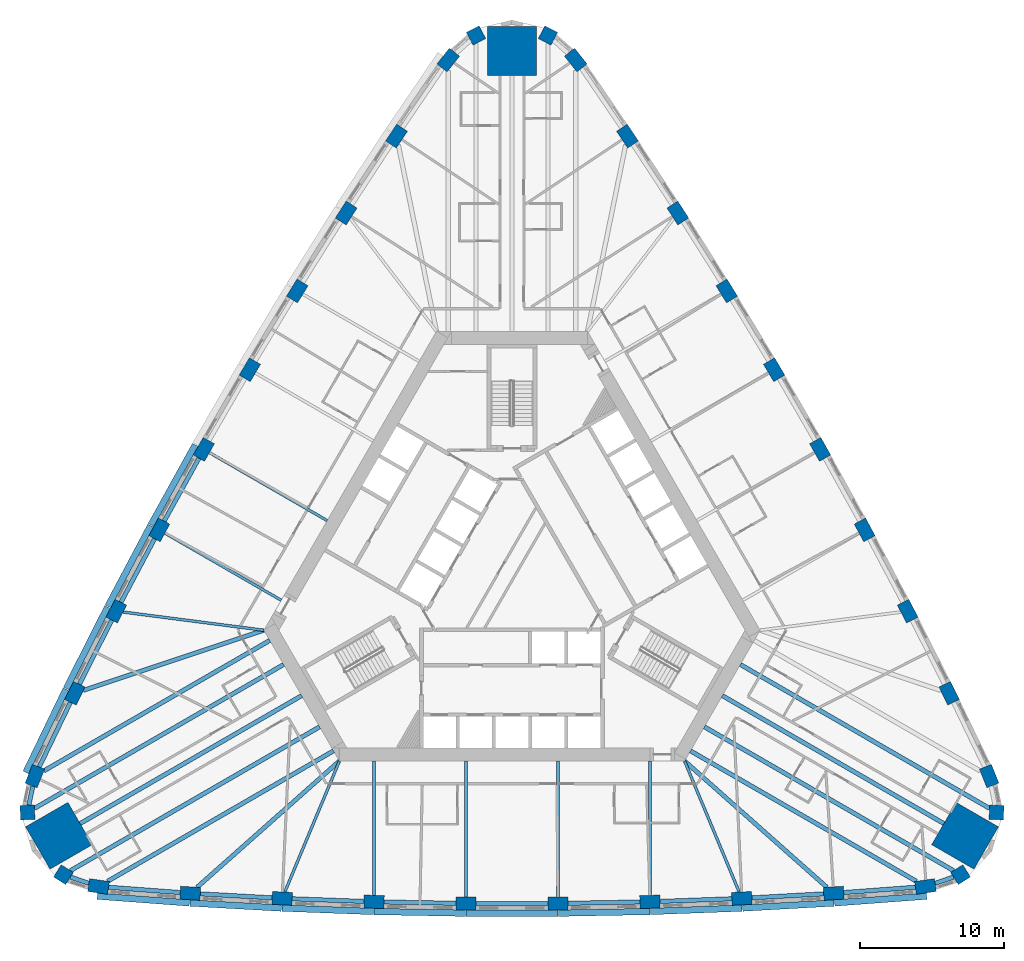
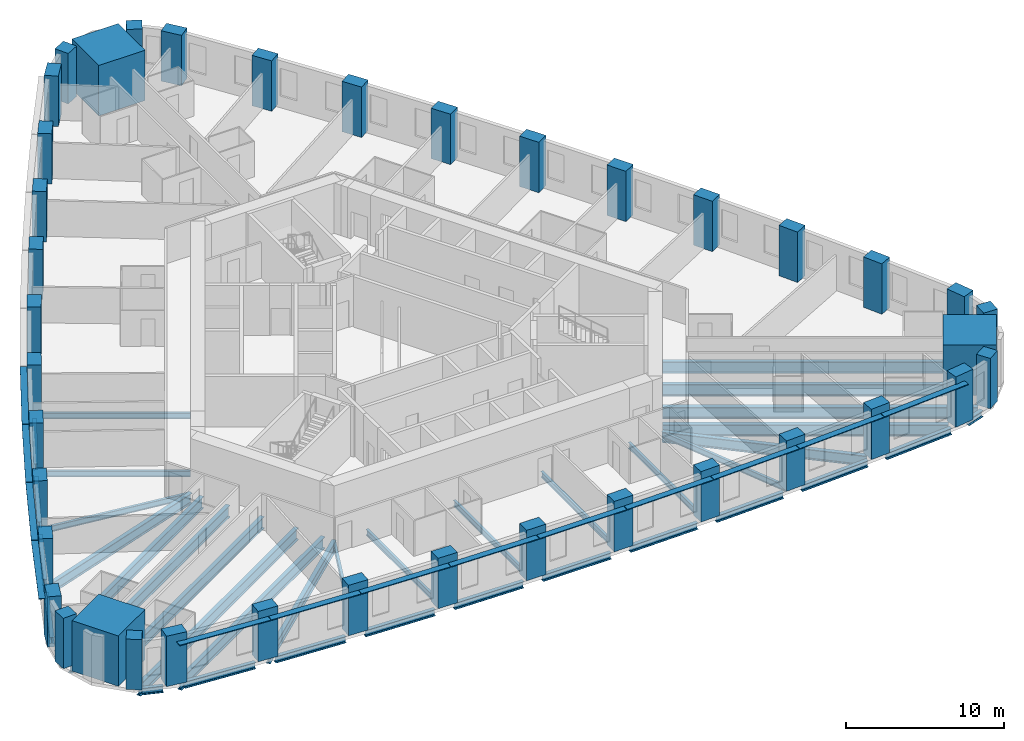
# One storey, part 1 of 12: 39 columns, 37 beams, 13 members.
"""IFC4 building model written with IfcOpenShell, lengths in metres."""

from ifc_helpers import new_model, si_unit, direction, frame, origin, origin_2d, place, context, subcontext, project, spatial, rectangle, i_section, extrude, material, material_profile, profile_set, type_object, element, save


model = new_model("IFC4")

# Units and contexts
model_context = context("Model", 3, precision=1e-05, world=origin(), true_north=direction((0.0, 1.0)))
body_context = subcontext(model_context, "Body", "Model", "MODEL_VIEW")
ifc_project = project(units=[si_unit("LENGTHUNIT", "METRE"), si_unit("AREAUNIT", "SQUARE_METRE"), si_unit("VOLUMEUNIT", "CUBIC_METRE"), si_unit("PLANEANGLEUNIT", "RADIAN"), si_unit("MASSUNIT", "GRAM", prefix="KILO")], contexts=[model_context])

# Site, building, storey
site_placement = place(None, origin())
site = spatial("IfcSite", under=ifc_project, at=site_placement, CompositionType="ELEMENT")
building_placement = place(site_placement, origin())
building = spatial("IfcBuilding", under=site, at=building_placement, Name="Mestral Congress Tower", CompositionType="ELEMENT")
storey_placement = place(building_placement, frame((0.0, 0.0, 70.5)))
storey = spatial("IfcBuildingStorey", under=building, at=storey_placement, Name="L16", CompositionType="ELEMENT", Elevation=70.5)

# Columns
ifc_material_1 = material(Name="Concrete C70/85", Category="concrete")
ifc_material_profile_1 = material_profile(ifc_material_1, rectangle(XDim=1.0, YDim=1.0, at=origin_2d()), Name="RC 1000x1000")
ifc_profile_set_1 = profile_set([ifc_material_profile_1], Name="Concrete C70/85")
column_type_1 = type_object("IfcColumnType", Name="Column RC 1000x1000 C70/85", PredefinedType="COLUMN", material=ifc_profile_set_1)
for number, where, z_axis, x_axis, name in (
    (1, (31.210205078125, -20.90966796875, 0.0), (0.0, 0.0, 1.0), (0.844485001826, 0.535579202071, 0.0), "COL-L16-C1-SE1"),
    (2, (33.71337890625, -16.573974609375, 0.0), (0.0, 0.0, 1.0), (0.041582693819, 0.999135065732, 0.0), "COL-L16-C1-SE3"),
    (3, (2.503173828125, 37.483642578125, 0.0), (0.0, 0.0, 1.0), (-0.886067695645, 0.463555863661, 0.0), "COL-L16-C1-N1"),
    (4, (-2.503173828125, 37.483642578125, 0.0), (0.0, 0.0, 1.0), (-0.886067695645, -0.463555863661, 0.0), "COL-L16-C1-N3"),
    (5, (-33.71337890625, -16.573974609375, 0.0), (0.0, 0.0, 1.0), (0.041582693819, -0.999135065732, 0.0), "COL-L16-C1-SW1"),
    (6, (-31.210205078125, -20.90966796875, 0.0), (0.0, 0.0, 1.0), (0.844485001826, -0.535579202071, 0.0), "COL-L16-C1-SW3"),
):
    element("IfcColumn", number, at=place(storey_placement, frame(where, z_axis=z_axis, x_axis=x_axis)), inside=storey, type_object=column_type_1, Name=name, PredefinedType="COLUMN", context=body_context, shape_type="SweptSolid", body=[
        extrude(rectangle(XDim=1.0, YDim=1.0, at=origin_2d()), origin(), (0.0, 0.0, 1.0), 3.89990234375),
    ])
ifc_material_profile_2 = material_profile(ifc_material_1, rectangle(XDim=1.39990234375, YDim=0.89990234375, at=origin_2d()), Name="RC 1400x900")
ifc_profile_set_2 = profile_set([ifc_material_profile_2], Name="Concrete C70/85")
column_type_2 = type_object("IfcColumnType", Name="Column RC 1400x900 C70/85", PredefinedType="COLUMN", material=ifc_profile_set_2)
for number, where, z_axis, x_axis, name in (
    (7, (-28.766845703125, -21.730712890625, 0.0), (0.0, 0.0, 1.0), (0.989423502484, -0.145055619443, 0.0), "COL-L16-C1-S00"),
    (8, (-22.384521484375, -22.20361328125, 0.0), (0.0, 0.0, 1.0), (0.997907501024, -0.064657709518, 0.0), "COL-L16-C1-S01"),
    (9, (-15.994384765625, -22.558349609375, 0.0), (0.0, 0.0, 1.0), (0.998932216029, -0.04619986774, 0.0), "COL-L16-C1-S02"),
    (10, (-9.598876953125, -22.794921875, 0.0), (0.0, 0.0, 1.0), (0.999615553977, -0.027726237529, 0.0), "COL-L16-C1-S03"),
    (11, (-3.199951171875, -22.9130859375, 0.0), (0.0, 0.0, 1.0), (0.999957281342, -0.009243132098, 0.0), "COL-L16-C1-S04"),
    (12, (3.199951171875, -22.9130859375, 0.0), (0.0, 0.0, 1.0), (0.999957281342, 0.009243132098, 0.0), "COL-L16-C1-S05"),
    (13, (9.598876953125, -22.794921875, 0.0), (0.0, 0.0, 1.0), (0.999615553977, 0.027726237529, 0.0), "COL-L16-C1-S06"),
    (14, (15.994384765625, -22.558349609375, 0.0), (0.0, 0.0, 1.0), (0.998932216029, 0.04619986774, 0.0), "COL-L16-C1-S07"),
    (15, (22.384521484375, -22.20361328125, 0.0), (0.0, 0.0, 1.0), (0.997907501024, 0.064657709518, 0.0), "COL-L16-C1-S08"),
    (16, (28.766845703125, -21.730712890625, 0.0), (0.0, 0.0, 1.0), (0.989423502484, 0.145055619443, 0.0), "COL-L16-C1-S09"),
    (17, (33.202880859375, -14.04736328125, 0.0), (0.0, 0.0, 1.0), (-0.369089899843, 0.929393697974, 0.0), "COL-L16-C1-E00"),
    (18, (30.421142578125, -8.28369140625, 0.0), (0.0, 0.0, 1.0), (-0.442958531519, 0.896542101273, 0.0), "COL-L16-C1-E01"),
    (19, (27.533203125, -2.572265625, 0.0), (0.0, 0.0, 1.0), (-0.4594558489, 0.88820060961, 0.0), "COL-L16-C1-E02"),
    (20, (24.540283203125, 3.084716796875, 0.0), (0.0, 0.0, 1.0), (-0.475796150937, 0.879555582526, 0.0), "COL-L16-C1-E03"),
    (21, (21.443359375, 8.685302734375, 0.0), (0.0, 0.0, 1.0), (-0.491973853463, 0.870609974391, 0.0), "COL-L16-C1-E04"),
    (22, (18.243408203125, 14.227783203125, 0.0), (0.0, 0.0, 1.0), (-0.507983427879, 0.861366842292, 0.0), "COL-L16-C1-E05"),
    (23, (14.941650390625, 19.710205078125, 0.0), (0.0, 0.0, 1.0), (-0.52381940304, 0.851829344998, 0.0), "COL-L16-C1-E06"),
    (24, (11.5390625, 25.130615234375, 0.0), (0.0, 0.0, 1.0), (-0.539476367129, 0.84200074187, 0.0), "COL-L16-C1-E07"),
    (25, (8.03662109375, 30.4873046875, 0.0), (0.0, 0.0, 1.0), (-0.554948969505, 0.831884391755, 0.0), "COL-L16-C1-E08"),
    (26, (4.43603515625, 35.7783203125, 0.0), (0.0, 0.0, 1.0), (-0.620333602641, 0.784338078531, 0.0), "COL-L16-C1-E09"),
    (27, (-4.43603515625, 35.7783203125, 0.0), (0.0, 0.0, 1.0), (-0.620333602641, -0.784338078531, 0.0), "COL-L16-C1-W00"),
    (28, (-8.03662109375, 30.4873046875, 0.0), (0.0, 0.0, 1.0), (-0.554948969505, -0.831884391755, 0.0), "COL-L16-C1-W01"),
    (29, (-11.5390625, 25.130615234375, 0.0), (0.0, 0.0, 1.0), (-0.539476367129, -0.84200074187, 0.0), "COL-L16-C1-W02"),
    (30, (-14.941650390625, 19.710205078125, 0.0), (0.0, 0.0, 1.0), (-0.52381940304, -0.851829344998, 0.0), "COL-L16-C1-W03"),
    (31, (-18.243408203125, 14.227783203125, 0.0), (0.0, 0.0, 1.0), (-0.507983427879, -0.861366842292, 0.0), "COL-L16-C1-W04"),
    (32, (-21.443359375, 8.685302734375, 0.0), (0.0, 0.0, 1.0), (-0.491973853463, -0.870609974391, 0.0), "COL-L16-C1-W05"),
    (33, (-24.540283203125, 3.084716796875, 0.0), (0.0, 0.0, 1.0), (-0.475796150937, -0.879555582526, 0.0), "COL-L16-C1-W06"),
    (34, (-27.533203125, -2.572265625, 0.0), (0.0, 0.0, 1.0), (-0.4594558489, -0.88820060961, 0.0), "COL-L16-C1-W07"),
    (35, (-30.421142578125, -8.28369140625, 0.0), (0.0, 0.0, 1.0), (-0.442958531519, -0.896542101273, 0.0), "COL-L16-C1-W08"),
    (36, (-33.202880859375, -14.04736328125, 0.0), (0.0, 0.0, 1.0), (-0.369089899843, -0.929393697974, 0.0), "COL-L16-C1-W09"),
):
    element("IfcColumn", number, at=place(storey_placement, frame(where, z_axis=z_axis, x_axis=x_axis)), inside=storey, type_object=column_type_2, Name=name, PredefinedType="COLUMN", context=body_context, shape_type="SweptSolid", body=[
        extrude(rectangle(XDim=1.39990234375, YDim=0.89990234375, at=origin_2d()), origin(), (0.0, 0.0, 1.0), 3.89990234375),
    ])
ifc_material_2 = material(Name="Concrete C80/95", Category="concrete")
ifc_material_profile_3 = material_profile(ifc_material_2, rectangle(XDim=3.39990234375, YDim=3.39990234375, at=origin_2d()), Name="RC 3400x3400")
ifc_profile_set_3 = profile_set([ifc_material_profile_3], Name="Concrete C80/95")
column_type_3 = type_object("IfcColumnType", Name="Mega column RC 3400x3400 C80/95", PredefinedType="COLUMN", material=ifc_profile_set_3)
for number, where, z_axis, x_axis, name in (
    (37, (31.5224609375, -18.199462890625, 0.0), (0.0, 0.0, 1.0), (0.866025403784, -0.5, 0.0), "COL-L16-PY1-SE"),
    (38, (0.0, 36.39892578125, 0.0), (0.0, 0.0, 1.0), (0.0, 1.0, 0.0), "COL-L16-PY1-N"),
    (39, (-31.5224609375, -18.199462890625, 0.0), (0.0, 0.0, 1.0), (-0.866025403784, -0.5, 0.0), "COL-L16-PY1-SW"),
):
    element("IfcColumn", number, at=place(storey_placement, frame(where, z_axis=z_axis, x_axis=x_axis)), inside=storey, type_object=column_type_3, Name=name, PredefinedType="COLUMN", context=body_context, shape_type="SweptSolid", body=[
        extrude(rectangle(XDim=3.39990234375, YDim=3.39990234375, at=origin_2d()), origin(), (0.0, 0.0, 1.0), 3.89990234375),
    ])

# Members
ifc_material_3 = material(Name="Glazed ceramic", Category="masonry")
ifc_material_profile_4 = material_profile(ifc_material_3, rectangle(XDim=0.449951171875, YDim=0.06005859375, at=origin_2d()), Name="Ceramic blade 450 x 60")
ifc_profile_set_4 = profile_set([ifc_material_profile_4], Name="Glazed ceramic")
member_type = type_object("IfcMemberType", Name="Facade sunshade blade 450 x 60", PredefinedType="USERDEFINED", material=ifc_profile_set_4)
member_1_placement = place(storey_placement, frame((-28.853271484375, -22.4013671875, 3.280029296875), z_axis=(0.997269829073, -0.073843672858, 0.0), x_axis=(0.073843672858, 0.997269829073, 0.0)))
element("IfcMember", 40, at=member_1_placement, inside=storey, type_object=member_type, Name="Sunshade F0-00", ObjectType="SUNSHADE", PredefinedType="USERDEFINED", context=body_context, shape_type="SweptSolid", body=[
    extrude(rectangle(XDim=0.449951171875, YDim=0.06005859375, at=origin_2d()), origin(), (0.0, 0.0, 1.0), 6.420654296875),
])
member_2_placement = place(storey_placement, frame((-22.406005859375, -22.87841796875, 3.280029296875), z_axis=(0.998462240013, -0.055436046654, 0.0), x_axis=(0.055436046654, 0.998462240013, 0.0)))
element("IfcMember", 41, at=member_2_placement, inside=storey, type_object=member_type, Name="Sunshade F0-01", ObjectType="SUNSHADE", PredefinedType="USERDEFINED", context=body_context, shape_type="SweptSolid", body=[
    extrude(rectangle(XDim=0.449951171875, YDim=0.06005859375, at=origin_2d()), origin(), (0.0, 0.0, 1.0), 6.3681640625),
])
member_3_placement = place(storey_placement, frame((-16.00341796875, -23.2333984375, 3.280029296875), z_axis=(0.99931546381, -0.036994645436, 0.0), x_axis=(0.036994645436, 0.99931546381, 0.0)))
element("IfcMember", 42, at=member_3_placement, inside=storey, type_object=member_type, Name="Sunshade F0-02", ObjectType="SUNSHADE", PredefinedType="USERDEFINED", context=body_context, shape_type="SweptSolid", body=[
    extrude(rectangle(XDim=0.449951171875, YDim=0.06005859375, at=origin_2d()), origin(), (0.0, 0.0, 1.0), 6.368408203125),
])
for number, where, z_axis, x_axis, name in (
    (43, (-9.595458984375, -23.47021484375, 3.280029296875), (0.99982925906, -0.018478439527, 0.0), (0.018478439527, 0.99982925906, 0.0), "Sunshade F0-03"),
    (44, (-3.18408203125, -23.588134765625, 3.280029296875), (1.0, 0.0, 0.0), (0.0, 1.0, 0.0), "Sunshade F0-04"),
    (45, (3.228271484375, -23.587890625, 3.280029296875), (0.99982925906, 0.018478439527, 0.0), (-0.018478439527, 0.99982925906, 0.0), "Sunshade F0-05"),
):
    element("IfcMember", number, at=place(storey_placement, frame(where, z_axis=z_axis, x_axis=x_axis)), inside=storey, type_object=member_type, Name=name, ObjectType="SUNSHADE", PredefinedType="USERDEFINED", context=body_context, shape_type="SweptSolid", body=[
        extrude(rectangle(XDim=0.449951171875, YDim=0.06005859375, at=origin_2d()), origin(), (0.0, 0.0, 1.0), 6.3681640625),
    ])
member_4_placement = place(storey_placement, frame((9.639404296875, -23.468994140625, 3.280029296875), z_axis=(0.99931546381, 0.036994645436, 0.0), x_axis=(-0.036994645436, 0.99931546381, 0.0)))
element("IfcMember", 46, at=member_4_placement, inside=storey, type_object=member_type, Name="Sunshade F0-06", ObjectType="SUNSHADE", PredefinedType="USERDEFINED", context=body_context, shape_type="SweptSolid", body=[
    extrude(rectangle(XDim=0.449951171875, YDim=0.06005859375, at=origin_2d()), origin(), (0.0, 0.0, 1.0), 6.368408203125),
])
member_5_placement = place(storey_placement, frame((16.047607421875, -23.2314453125, 3.280029296875), z_axis=(0.998462240013, 0.055436046654, 0.0), x_axis=(-0.055436046654, 0.998462240013, 0.0)))
element("IfcMember", 47, at=member_5_placement, inside=storey, type_object=member_type, Name="Sunshade F0-07", ObjectType="SUNSHADE", PredefinedType="USERDEFINED", context=body_context, shape_type="SweptSolid", body=[
    extrude(rectangle(XDim=0.449951171875, YDim=0.06005859375, at=origin_2d()), origin(), (0.0, 0.0, 1.0), 6.3681640625),
])
member_6_placement = place(storey_placement, frame((22.4501953125, -22.87548828125, 3.280029296875), z_axis=(0.997269829073, 0.073843672858, 0.0), x_axis=(-0.073843672858, 0.997269829073, 0.0)))
element("IfcMember", 48, at=member_6_placement, inside=storey, type_object=member_type, Name="Sunshade F0-08", ObjectType="SUNSHADE", PredefinedType="USERDEFINED", context=body_context, shape_type="SweptSolid", body=[
    extrude(rectangle(XDim=0.449951171875, YDim=0.06005859375, at=origin_2d()), origin(), (0.0, 0.0, 1.0), 6.420654296875),
])
for number, where, z_axis, x_axis, name in (
    (49, (-22.041748046875, 8.998291015625, 3.280029296875), (-0.483893994258, -0.875126620736, 0.0), (0.875126620736, -0.483893994258, 0.0), "Sunshade F2-05"),
    (50, (-25.144287109375, 3.38623046875, 3.280029296875), (-0.467674573128, -0.883900726128, 0.0), (0.883900726128, -0.467674573128, 0.0), "Sunshade F2-06"),
    (51, (-28.142822265625, -2.28173828125, 3.280029296875), (-0.451226804026, -0.892409307061, 0.0), (0.892409307061, -0.451226804026, 0.0), "Sunshade F2-07"),
):
    element("IfcMember", number, at=place(storey_placement, frame(where, z_axis=z_axis, x_axis=x_axis)), inside=storey, type_object=member_type, Name=name, ObjectType="SUNSHADE", PredefinedType="USERDEFINED", context=body_context, shape_type="SweptSolid", body=[
        extrude(rectangle(XDim=0.449951171875, YDim=0.06005859375, at=origin_2d()), origin(), (0.0, 0.0, 1.0), 6.3681640625),
    ])
member_7_placement = place(storey_placement, frame((-31.035888671875, -8.00439453125, 3.280029296875), z_axis=(-0.434637414368, -0.900605528537, 0.0), x_axis=(0.900605528537, -0.434637414368, 0.0)))
element("IfcMember", 52, at=member_7_placement, inside=storey, type_object=member_type, Name="Sunshade F2-08", ObjectType="SUNSHADE", PredefinedType="USERDEFINED", context=body_context, shape_type="SweptSolid", body=[
    extrude(rectangle(XDim=0.449951171875, YDim=0.06005859375, at=origin_2d()), origin(), (0.0, 0.0, 1.0), 6.4208984375),
])

# Beams
ifc_material_4 = material(Name="Steel S355", Category="steel")
ifc_material_profile_5 = material_profile(ifc_material_4, i_section(OverallWidth=0.300048828125, OverallDepth=0.800048828125, WebThickness=0.017578125, FlangeThickness=0.032958984375, FilletRadius=0.030029296875, at=origin_2d()), Name="HEB 800")
ifc_profile_set_5 = profile_set([ifc_material_profile_5], Name="Steel S355")
beam_type_1 = type_object("IfcBeamType", Name="Floor beam HEB 800 S355", PredefinedType="BEAM", material=ifc_profile_set_5)
for number, where, z_axis, x_axis, name in (
    (53, (-21.91064453125, -21.783447265625, -0.64990234375), (0.748091770025, 0.663595286015, 0.0), (-0.663595286015, 0.748091770025, 0.0), "BM-L16-RB1-S01"),
    (54, (21.91064453125, -21.783447265625, -0.64990234375), (-0.748091770025, 0.663595286015, 0.0), (-0.663595286015, -0.748091770025, 0.0), "BM-L16-RB1-S08"),
    (55, (-29.8203125, -8.08349609375, -0.64990234375), (0.948734931285, 0.316072824141, 0.0), (-0.316072824141, 0.948734931285, 0.0), "BM-L16-RB1-W08"),
):
    element("IfcBeam", number, at=place(storey_placement, frame(where, z_axis=z_axis, x_axis=x_axis)), inside=storey, type_object=beam_type_1, Name=name, PredefinedType="BEAM", context=body_context, shape_type="SweptSolid", body=[
        extrude(i_section(OverallWidth=0.300048828125, OverallDepth=0.800048828125, WebThickness=0.017578125, FlangeThickness=0.032958984375, FilletRadius=0.030029296875, at=origin_2d()), origin(), (0.0, 0.0, 1.0), 13.236083984375),
    ])
ifc_material_profile_6 = material_profile(ifc_material_4, i_section(OverallWidth=0.300048828125, OverallDepth=0.89990234375, WebThickness=0.0185546875, FlangeThickness=0.034912109375, FilletRadius=0.030029296875, at=origin_2d()), Name="HEB 900")
ifc_profile_set_6 = profile_set([ifc_material_profile_6], Name="Steel S355")
beam_type_2 = type_object("IfcBeamType", Name="Floor beam HEB 900 S355", PredefinedType="BEAM", material=ifc_profile_set_6)
for number, where, z_axis, x_axis, name in (
    (56, (-28.138671875, -21.3681640625, -0.699951171875), (0.866027243369, 0.499996813733, 0.0), (-0.499996813733, 0.866027243369, 0.0), "BM-L16-RB1-S00"),
    (57, (28.138671875, -21.3681640625, -0.699951171875), (-0.866027243369, 0.499996813733, 0.0), (-0.499996813733, -0.866027243369, 0.0), "BM-L16-RB1-S09"),
):
    element("IfcBeam", number, at=place(storey_placement, frame(where, z_axis=z_axis, x_axis=x_axis)), inside=storey, type_object=beam_type_2, Name=name, PredefinedType="BEAM", context=body_context, shape_type="SweptSolid", body=[
        extrude(i_section(OverallWidth=0.300048828125, OverallDepth=0.89990234375, WebThickness=0.0185546875, FlangeThickness=0.034912109375, FilletRadius=0.030029296875, at=origin_2d()), origin(), (0.0, 0.0, 1.0), 18.15283203125),
    ])
beam_1_placement = place(storey_placement, frame((30.721435546875, -20.62744140625, -0.699951171875), z_axis=(-0.866027382289, 0.499996573113, 0.0), x_axis=(-0.499996573113, -0.866027382289, 0.0)))
element("IfcBeam", 58, at=beam_1_placement, inside=storey, type_object=beam_type_2, Name="BM-L16-RB1-SE1", PredefinedType="BEAM", context=body_context, shape_type="SweptSolid", body=[
    extrude(i_section(OverallWidth=0.300048828125, OverallDepth=0.89990234375, WebThickness=0.0185546875, FlangeThickness=0.034912109375, FilletRadius=0.030029296875, at=origin_2d()), origin(), (0.0, 0.0, 1.0), 20.019287109375),
])
beam_2_placement = place(storey_placement, frame((30.050048828125, -17.349609375, -0.699951171875), z_axis=(-0.866020438056, 0.500008600796, 0.0), x_axis=(-0.500008600796, -0.866020438056, 0.0)))
element("IfcBeam", 59, at=beam_2_placement, inside=storey, type_object=beam_type_2, Name="BM-L16-RB1-SE", PredefinedType="BEAM", context=body_context, shape_type="SweptSolid", body=[
    extrude(i_section(OverallWidth=0.300048828125, OverallDepth=0.89990234375, WebThickness=0.0185546875, FlangeThickness=0.034912109375, FilletRadius=0.030029296875, at=origin_2d()), origin(), (0.0, 0.0, 1.0), 17.799072265625),
])
beam_3_placement = place(storey_placement, frame((33.224609375, -16.291748046875, -0.699951171875), z_axis=(-0.866027382289, 0.499996573113, 0.0), x_axis=(-0.499996573113, -0.866027382289, 0.0)))
element("IfcBeam", 60, at=beam_3_placement, inside=storey, type_object=beam_type_2, Name="BM-L16-RB1-SE3", PredefinedType="BEAM", context=body_context, shape_type="SweptSolid", body=[
    extrude(i_section(OverallWidth=0.300048828125, OverallDepth=0.89990234375, WebThickness=0.0185546875, FlangeThickness=0.034912109375, FilletRadius=0.030029296875, at=origin_2d()), origin(), (0.0, 0.0, 1.0), 20.019287109375),
])
beam_4_placement = place(storey_placement, frame((-32.574462890625, -13.6845703125, -0.699951171875), z_axis=(0.866029704776, 0.49999255039, 0.0), x_axis=(-0.49999255039, 0.866029704776, 0.0)))
element("IfcBeam", 61, at=beam_4_placement, inside=storey, type_object=beam_type_2, Name="BM-L16-RB1-W09", PredefinedType="BEAM", context=body_context, shape_type="SweptSolid", body=[
    extrude(i_section(OverallWidth=0.300048828125, OverallDepth=0.89990234375, WebThickness=0.0185546875, FlangeThickness=0.034912109375, FilletRadius=0.030029296875, at=origin_2d()), origin(), (0.0, 0.0, 1.0), 18.152587890625),
])
beam_5_placement = place(storey_placement, frame((-33.224609375, -16.291748046875, -0.699951171875), z_axis=(0.866027382289, 0.499996573113, 0.0), x_axis=(-0.499996573113, 0.866027382289, 0.0)))
element("IfcBeam", 62, at=beam_5_placement, inside=storey, type_object=beam_type_2, Name="BM-L16-RB1-SW1", PredefinedType="BEAM", context=body_context, shape_type="SweptSolid", body=[
    extrude(i_section(OverallWidth=0.300048828125, OverallDepth=0.89990234375, WebThickness=0.0185546875, FlangeThickness=0.034912109375, FilletRadius=0.030029296875, at=origin_2d()), origin(), (0.0, 0.0, 1.0), 20.019287109375),
])
beam_6_placement = place(storey_placement, frame((-30.050048828125, -17.349609375, -0.699951171875), z_axis=(0.866020438056, 0.500008600796, 0.0), x_axis=(-0.500008600796, 0.866020438056, 0.0)))
element("IfcBeam", 63, at=beam_6_placement, inside=storey, type_object=beam_type_2, Name="BM-L16-RB1-SW", PredefinedType="BEAM", context=body_context, shape_type="SweptSolid", body=[
    extrude(i_section(OverallWidth=0.300048828125, OverallDepth=0.89990234375, WebThickness=0.0185546875, FlangeThickness=0.034912109375, FilletRadius=0.030029296875, at=origin_2d()), origin(), (0.0, 0.0, 1.0), 17.799072265625),
])
beam_7_placement = place(storey_placement, frame((-30.721435546875, -20.62744140625, -0.699951171875), z_axis=(0.866027382289, 0.499996573113, 0.0), x_axis=(-0.499996573113, 0.866027382289, 0.0)))
element("IfcBeam", 64, at=beam_7_placement, inside=storey, type_object=beam_type_2, Name="BM-L16-RB1-SW3", PredefinedType="BEAM", context=body_context, shape_type="SweptSolid", body=[
    extrude(i_section(OverallWidth=0.300048828125, OverallDepth=0.89990234375, WebThickness=0.0185546875, FlangeThickness=0.034912109375, FilletRadius=0.030029296875, at=origin_2d()), origin(), (0.0, 0.0, 1.0), 20.019287109375),
])
ifc_material_profile_7 = material_profile(ifc_material_4, i_section(OverallWidth=0.18994140625, OverallDepth=0.449951171875, WebThickness=0.009521484375, FlangeThickness=0.0146484375, FilletRadius=0.02099609375, at=origin_2d()), Name="IPE 450")
ifc_profile_set_7 = profile_set([ifc_material_profile_7], Name="Steel S355")
beam_type_3 = type_object("IfcBeamType", Name="Floor beam IPE 450 S355", PredefinedType="BEAM", material=ifc_profile_set_7)
beam_8_placement = place(storey_placement, frame((-15.81005859375, -22.116455078125, -0.47509765625), z_axis=(0.384852309441, 0.922978168711, 0.0), x_axis=(-0.922978168711, 0.384852309441, 0.0)))
element("IfcBeam", 65, at=beam_8_placement, inside=storey, type_object=beam_type_3, Name="BM-L16-RB1-S02", PredefinedType="BEAM", context=body_context, shape_type="SweptSolid", body=[
    extrude(i_section(OverallWidth=0.18994140625, OverallDepth=0.449951171875, WebThickness=0.009521484375, FlangeThickness=0.0146484375, FilletRadius=0.02099609375, at=origin_2d()), origin(), (0.0, 0.0, 1.0), 9.877197265625),
])
beam_9_placement = place(storey_placement, frame((-9.598876953125, -22.3447265625, -0.47509765625), z_axis=(0.0, 1.0, 0.0), x_axis=(-1.0, 0.0, 0.0)))
element("IfcBeam", 66, at=beam_9_placement, inside=storey, type_object=beam_type_3, Name="BM-L16-RB1-S03", PredefinedType="BEAM", context=body_context, shape_type="SweptSolid", body=[
    extrude(i_section(OverallWidth=0.18994140625, OverallDepth=0.449951171875, WebThickness=0.009521484375, FlangeThickness=0.0146484375, FilletRadius=0.02099609375, at=origin_2d()), origin(), (0.0, 0.0, 1.0), 9.3447265625),
])
for number, where, z_axis, x_axis, name in (
    (67, (-3.199951171875, -22.463134765625, -0.47509765625), (0.0, 1.0, 0.0), (-1.0, 0.0, 0.0), "BM-L16-RB1-S04"),
    (68, (3.199951171875, -22.463134765625, -0.47509765625), (0.0, 1.0, 0.0), (-1.0, 0.0, 0.0), "BM-L16-RB1-S05"),
):
    element("IfcBeam", number, at=place(storey_placement, frame(where, z_axis=z_axis, x_axis=x_axis)), inside=storey, type_object=beam_type_3, Name=name, PredefinedType="BEAM", context=body_context, shape_type="SweptSolid", body=[
        extrude(i_section(OverallWidth=0.18994140625, OverallDepth=0.449951171875, WebThickness=0.009521484375, FlangeThickness=0.0146484375, FilletRadius=0.02099609375, at=origin_2d()), origin(), (0.0, 0.0, 1.0), 9.463134765625),
    ])
beam_10_placement = place(storey_placement, frame((9.598876953125, -22.3447265625, -0.47509765625), z_axis=(0.0, 1.0, 0.0), x_axis=(-1.0, 0.0, 0.0)))
element("IfcBeam", 69, at=beam_10_placement, inside=storey, type_object=beam_type_3, Name="BM-L16-RB1-S06", PredefinedType="BEAM", context=body_context, shape_type="SweptSolid", body=[
    extrude(i_section(OverallWidth=0.18994140625, OverallDepth=0.449951171875, WebThickness=0.009521484375, FlangeThickness=0.0146484375, FilletRadius=0.02099609375, at=origin_2d()), origin(), (0.0, 0.0, 1.0), 9.3447265625),
])
beam_11_placement = place(storey_placement, frame((15.81005859375, -22.116455078125, -0.47509765625), z_axis=(-0.384852309441, 0.922978168711, 0.0), x_axis=(-0.922978168711, -0.384852309441, 0.0)))
element("IfcBeam", 70, at=beam_11_placement, inside=storey, type_object=beam_type_3, Name="BM-L16-RB1-S07", PredefinedType="BEAM", context=body_context, shape_type="SweptSolid", body=[
    extrude(i_section(OverallWidth=0.18994140625, OverallDepth=0.449951171875, WebThickness=0.009521484375, FlangeThickness=0.0146484375, FilletRadius=0.02099609375, at=origin_2d()), origin(), (0.0, 0.0, 1.0), 9.877197265625),
])
beam_12_placement = place(storey_placement, frame((-21.0537109375, 8.46044921875, -0.47509765625), z_axis=(0.866019749231, -0.500009793847, 0.0), x_axis=(0.500009793847, 0.866019749231, 0.0)))
element("IfcBeam", 71, at=beam_12_placement, inside=storey, type_object=beam_type_3, Name="BM-L16-RB1-W05", PredefinedType="BEAM", context=body_context, shape_type="SweptSolid", body=[
    extrude(i_section(OverallWidth=0.18994140625, OverallDepth=0.449951171875, WebThickness=0.009521484375, FlangeThickness=0.0146484375, FilletRadius=0.02099609375, at=origin_2d()), origin(), (0.0, 0.0, 1.0), 9.463134765625),
])
beam_13_placement = place(storey_placement, frame((-24.150634765625, 2.859619140625, -0.47509765625), z_axis=(0.866032011123, -0.499988555579, 0.0), x_axis=(0.499988555579, 0.866032011123, 0.0)))
element("IfcBeam", 72, at=beam_13_placement, inside=storey, type_object=beam_type_3, Name="BM-L16-RB1-W06", PredefinedType="BEAM", context=body_context, shape_type="SweptSolid", body=[
    extrude(i_section(OverallWidth=0.18994140625, OverallDepth=0.449951171875, WebThickness=0.009521484375, FlangeThickness=0.0146484375, FilletRadius=0.02099609375, at=origin_2d()), origin(), (0.0, 0.0, 1.0), 9.344970703125),
])
beam_14_placement = place(storey_placement, frame((-27.058349609375, -2.6337890625, -0.47509765625), z_axis=(0.99175011495, -0.128186229747, 0.0), x_axis=(0.128186229747, 0.99175011495, 0.0)))
element("IfcBeam", 73, at=beam_14_placement, inside=storey, type_object=beam_type_3, Name="BM-L16-RB1-W07", PredefinedType="BEAM", context=body_context, shape_type="SweptSolid", body=[
    extrude(i_section(OverallWidth=0.18994140625, OverallDepth=0.449951171875, WebThickness=0.009521484375, FlangeThickness=0.0146484375, FilletRadius=0.02099609375, at=origin_2d()), origin(), (0.0, 0.0, 1.0), 9.877197265625),
])
ifc_material_profile_8 = material_profile(ifc_material_4, i_section(OverallWidth=0.300048828125, OverallDepth=0.489990234375, WebThickness=0.011962890625, FlangeThickness=0.02294921875, FilletRadius=0.027099609375, at=origin_2d()), Name="HEA 500")
ifc_profile_set_8 = profile_set([ifc_material_profile_8], Name="Steel S355")
beam_type_4 = type_object("IfcBeamType", Name="Spandrel beam HEA 500 S355", PredefinedType="BEAM", material=ifc_profile_set_8)
beam_15_placement = place(storey_placement, frame((-28.06689453125, -21.78271484375, -0.4951171875), z_axis=(0.997268820599, -0.073857291181, 0.0), x_axis=(0.073857291181, 0.997268820599, 0.0)))
element("IfcBeam", 74, at=beam_15_placement, inside=storey, type_object=beam_type_4, Name="SP-L16-SB1-S00", PredefinedType="BEAM", context=body_context, shape_type="SweptSolid", body=[
    extrude(i_section(OverallWidth=0.300048828125, OverallDepth=0.489990234375, WebThickness=0.011962890625, FlangeThickness=0.02294921875, FilletRadius=0.027099609375, at=origin_2d()), origin(), (0.0, 0.0, 1.0), 4.998046875),
])
for number, where, z_axis, x_axis, name in (
    (75, (-21.685546875, -22.242431640625, -0.4951171875), (0.998463056415, -0.055421340426, 0.0), (0.055421340426, 0.998463056415, 0.0), "SP-L16-SB1-S01"),
    (76, (-15.294677734375, -22.584228515625, -0.4951171875), (0.999316571833, -0.036964702901, 0.0), (0.036964702901, 0.999316571833, 0.0), "SP-L16-SB1-S02"),
    (77, (-8.89892578125, -22.807861328125, -0.4951171875), (0.999829645984, -0.018457492, 0.0), (0.018457492, 0.999829645984, 0.0), "SP-L16-SB1-S03"),
):
    element("IfcBeam", number, at=place(storey_placement, frame(where, z_axis=z_axis, x_axis=x_axis)), inside=storey, type_object=beam_type_4, Name=name, PredefinedType="BEAM", context=body_context, shape_type="SweptSolid", body=[
        extrude(i_section(OverallWidth=0.300048828125, OverallDepth=0.489990234375, WebThickness=0.011962890625, FlangeThickness=0.02294921875, FilletRadius=0.027099609375, at=origin_2d()), origin(), (0.0, 0.0, 1.0), 4.999755859375),
    ])
beam_16_placement = place(storey_placement, frame((-2.5, -22.9130859375, -0.4951171875), z_axis=(1.0, 0.0, 0.0), x_axis=(0.0, 1.0, 0.0)))
element("IfcBeam", 78, at=beam_16_placement, inside=storey, type_object=beam_type_4, Name="SP-L16-SB1-S04", PredefinedType="BEAM", context=body_context, shape_type="SweptSolid", body=[
    extrude(i_section(OverallWidth=0.300048828125, OverallDepth=0.489990234375, WebThickness=0.011962890625, FlangeThickness=0.02294921875, FilletRadius=0.027099609375, at=origin_2d()), origin(), (0.0, 0.0, 1.0), 5.0),
])
for number, where, z_axis, x_axis, name in (
    (79, (3.89990234375, -22.900146484375, -0.4951171875), (0.999829645984, 0.018457492, 0.0), (-0.018457492, 0.999829645984, 0.0), "SP-L16-SB1-S05"),
    (80, (10.29833984375, -22.76904296875, -0.4951171875), (0.999316571833, 0.036964702901, 0.0), (-0.036964702901, 0.999316571833, 0.0), "SP-L16-SB1-S06"),
    (81, (16.693359375, -22.51953125, -0.4951171875), (0.998463056415, 0.055421340426, 0.0), (-0.055421340426, 0.998463056415, 0.0), "SP-L16-SB1-S07"),
):
    element("IfcBeam", number, at=place(storey_placement, frame(where, z_axis=z_axis, x_axis=x_axis)), inside=storey, type_object=beam_type_4, Name=name, PredefinedType="BEAM", context=body_context, shape_type="SweptSolid", body=[
        extrude(i_section(OverallWidth=0.300048828125, OverallDepth=0.489990234375, WebThickness=0.011962890625, FlangeThickness=0.02294921875, FilletRadius=0.027099609375, at=origin_2d()), origin(), (0.0, 0.0, 1.0), 4.999755859375),
    ])
beam_17_placement = place(storey_placement, frame((23.08251953125, -22.15185546875, -0.4951171875), z_axis=(0.997268820599, 0.073857291181, 0.0), x_axis=(-0.073857291181, 0.997268820599, 0.0)))
element("IfcBeam", 82, at=beam_17_placement, inside=storey, type_object=beam_type_4, Name="SP-L16-SB1-S08", PredefinedType="BEAM", context=body_context, shape_type="SweptSolid", body=[
    extrude(i_section(OverallWidth=0.300048828125, OverallDepth=0.489990234375, WebThickness=0.011962890625, FlangeThickness=0.02294921875, FilletRadius=0.027099609375, at=origin_2d()), origin(), (0.0, 0.0, 1.0), 4.998046875),
])
beam_18_placement = place(storey_placement, frame((29.441162109375, -21.504150390625, -0.4951171875), z_axis=(0.947921796083, 0.318503168762, 0.0), x_axis=(-0.318503168762, 0.947921796083, 0.0)))
element("IfcBeam", 83, at=beam_18_placement, inside=storey, type_object=beam_type_4, Name="SP-L16-SB1-S09", PredefinedType="BEAM", context=body_context, shape_type="SweptSolid", body=[
    extrude(i_section(OverallWidth=0.300048828125, OverallDepth=0.489990234375, WebThickness=0.011962890625, FlangeThickness=0.02294921875, FilletRadius=0.027099609375, at=origin_2d()), origin(), (0.0, 0.0, 1.0), 1.351318359375),
])
beam_19_placement = place(storey_placement, frame((-21.7822265625, 8.07275390625, -0.4951171875), z_axis=(-0.483900688062, -0.875122919419, 0.0), x_axis=(0.875122919419, -0.483900688062, 0.0)))
element("IfcBeam", 84, at=beam_19_placement, inside=storey, type_object=beam_type_4, Name="SP-L16-SB1-W05", PredefinedType="BEAM", context=body_context, shape_type="SweptSolid", body=[
    extrude(i_section(OverallWidth=0.300048828125, OverallDepth=0.489990234375, WebThickness=0.011962890625, FlangeThickness=0.02294921875, FilletRadius=0.027099609375, at=origin_2d()), origin(), (0.0, 0.0, 1.0), 4.999755859375),
])
beam_20_placement = place(storey_placement, frame((-24.86767578125, 2.4658203125, -0.4951171875), z_axis=(-0.467681307417, -0.883897162962, 0.0), x_axis=(0.883897162962, -0.467681307417, 0.0)))
element("IfcBeam", 85, at=beam_20_placement, inside=storey, type_object=beam_type_4, Name="SP-L16-SB1-W06", PredefinedType="BEAM", context=body_context, shape_type="SweptSolid", body=[
    extrude(i_section(OverallWidth=0.300048828125, OverallDepth=0.489990234375, WebThickness=0.011962890625, FlangeThickness=0.02294921875, FilletRadius=0.027099609375, at=origin_2d()), origin(), (0.0, 0.0, 1.0), 5.0),
])
beam_21_placement = place(storey_placement, frame((-27.84912109375, -3.197021484375, -0.4951171875), z_axis=(-0.45123261425, -0.892406369227, 0.0), x_axis=(0.892406369227, -0.45123261425, 0.0)))
element("IfcBeam", 86, at=beam_21_placement, inside=storey, type_object=beam_type_4, Name="SP-L16-SB1-W07", PredefinedType="BEAM", context=body_context, shape_type="SweptSolid", body=[
    extrude(i_section(OverallWidth=0.300048828125, OverallDepth=0.489990234375, WebThickness=0.011962890625, FlangeThickness=0.02294921875, FilletRadius=0.027099609375, at=origin_2d()), origin(), (0.0, 0.0, 1.0), 4.999755859375),
])
beam_22_placement = place(storey_placement, frame((-30.725341796875, -8.9140625, -0.4951171875), z_axis=(-0.434645244295, -0.900601749727, 0.0), x_axis=(0.900601749727, -0.434645244295, 0.0)))
element("IfcBeam", 87, at=beam_22_placement, inside=storey, type_object=beam_type_4, Name="SP-L16-SB1-W08", PredefinedType="BEAM", context=body_context, shape_type="SweptSolid", body=[
    extrude(i_section(OverallWidth=0.300048828125, OverallDepth=0.489990234375, WebThickness=0.011962890625, FlangeThickness=0.02294921875, FilletRadius=0.027099609375, at=origin_2d()), origin(), (0.0, 0.0, 1.0), 4.998046875),
])
beam_23_placement = place(storey_placement, frame((-33.34375, -14.74462890625, -0.4951171875), z_axis=(-0.197991750859, -0.980203686277, 0.0), x_axis=(0.980203686277, -0.197991750859, 0.0)))
element("IfcBeam", 88, at=beam_23_placement, inside=storey, type_object=beam_type_4, Name="SP-L16-SB1-W09", PredefinedType="BEAM", context=body_context, shape_type="SweptSolid", body=[
    extrude(i_section(OverallWidth=0.300048828125, OverallDepth=0.489990234375, WebThickness=0.011962890625, FlangeThickness=0.02294921875, FilletRadius=0.027099609375, at=origin_2d()), origin(), (0.0, 0.0, 1.0), 1.3515625),
])
beam_24_placement = place(storey_placement, frame((-30.72216796875, -21.07373046875, -0.4951171875), z_axis=(0.947921796083, -0.318503168762, 0.0), x_axis=(0.318503168762, 0.947921796083, 0.0)))
element("IfcBeam", 89, at=beam_24_placement, inside=storey, type_object=beam_type_4, Name="SP-L16-SB1-SW3", PredefinedType="BEAM", context=body_context, shape_type="SweptSolid", body=[
    extrude(i_section(OverallWidth=0.300048828125, OverallDepth=0.489990234375, WebThickness=0.011962890625, FlangeThickness=0.02294921875, FilletRadius=0.027099609375, at=origin_2d()), origin(), (0.0, 0.0, 1.0), 1.351318359375),
])

save(model, "model.ifc")
